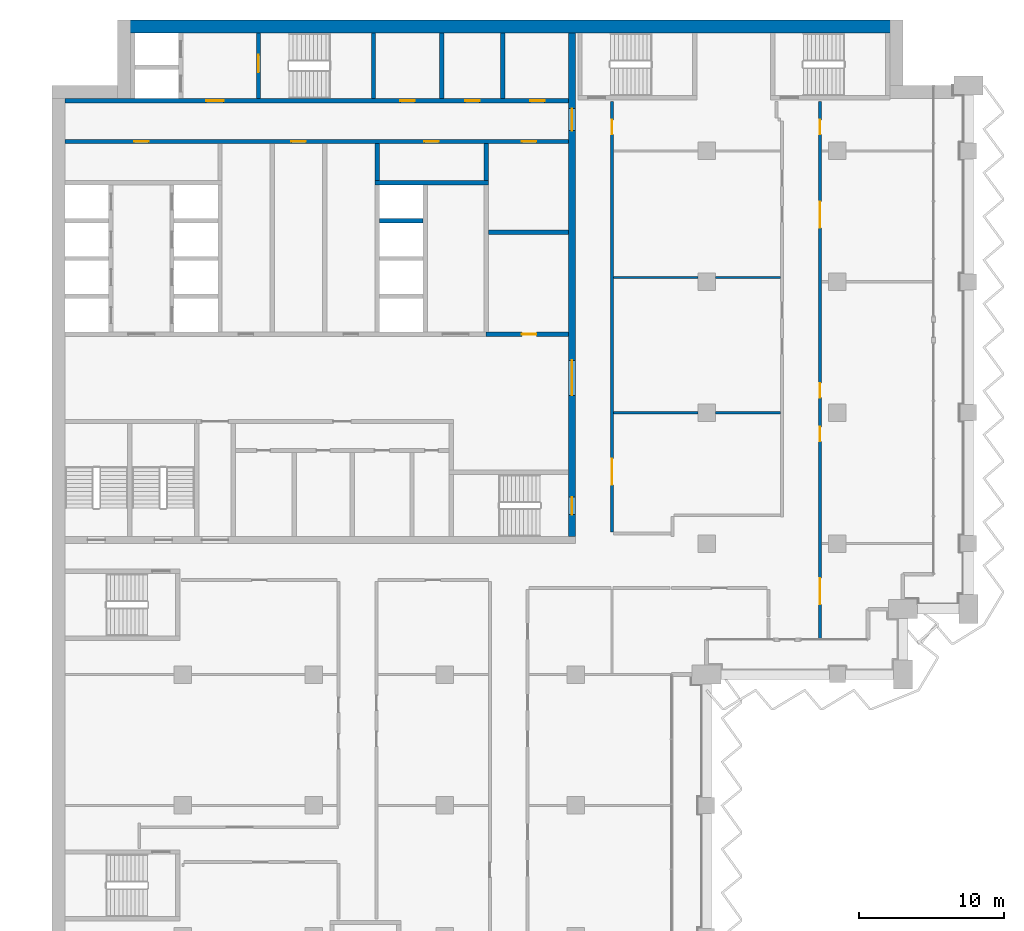
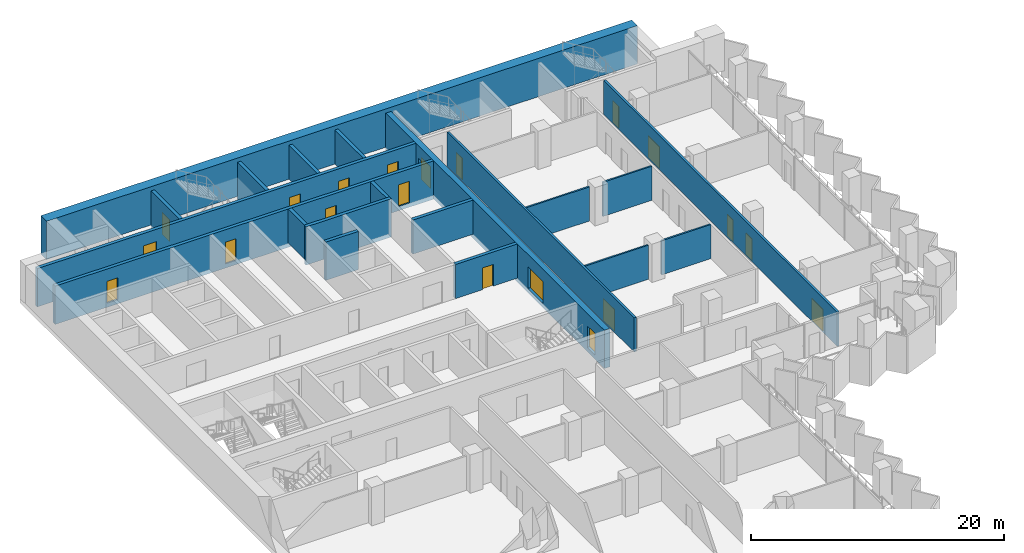
# One storey, part 14 of 23: 20 doors, 20 walls, 20 openings.
"""IFC4 building model written with IfcOpenShell, lengths in metres."""

from ifc_helpers import new_model, si_unit, direction, frame, frame_2d, origin, place, context, subcontext, project, spatial, rectangle, extrude, material, layer, layer_set, type_object, element, fill, save


model = new_model("IFC4")

# Units and contexts
model_context = context("Model", 3, precision=1e-05, world=origin(), true_north=direction((0.0, 1.0)))
body_context = subcontext(model_context, "Body", "Model", "MODEL_VIEW")
ifc_project = project(units=[si_unit("LENGTHUNIT", "METRE"), si_unit("AREAUNIT", "SQUARE_METRE"), si_unit("VOLUMEUNIT", "CUBIC_METRE"), si_unit("PLANEANGLEUNIT", "RADIAN"), si_unit("MASSUNIT", "GRAM", prefix="KILO")], contexts=[model_context])

# Site, building, storey
site_placement = place(None, origin())
site = spatial("IfcSite", under=ifc_project, at=site_placement, CompositionType="ELEMENT")
building_placement = place(site_placement, origin())
building = spatial("IfcBuilding", under=site, at=building_placement, Name="Hunhe Ridgeline Campus", CompositionType="ELEMENT")
storey_placement = place(building_placement, frame((0.0, 0.0, 152.300048828125)))
storey = spatial("IfcBuildingStorey", under=building, at=storey_placement, Name="L38", CompositionType="ELEMENT", Elevation=152.300048828125)

# Wall, opening, door
ifc_material_1 = material(Name="Masonry concrete blockwork", Category="masonry")
ifc_layer_1 = layer(ifc_material_1, 0.300048828125)
ifc_layer_set_1 = layer_set([ifc_layer_1], Name="Core room partition 300 concrete block")
wall_type_1 = type_object("IfcWallType", Name="Core room partition 300 concrete block", PredefinedType="PARTITIONING", material=ifc_layer_set_1)
wall_1_placement = place(storey_placement, frame((29.85009765625, 77.39990234375, 0.0), z_axis=(0.0, 0.0, 1.0), x_axis=(1.0, 0.0, 0.0)))
wall_1 = element("IfcWall", 1, at=wall_1_placement, inside=storey, type_object=wall_type_1, Name="L38 core partition 13", PredefinedType="PARTITIONING", context=body_context, shape_type="SweptSolid", body=[
    extrude(rectangle(XDim=5.64990234375, YDim=0.300048828125, at=frame_2d((2.824951171875, 0.0))), origin(), (0.0, 0.0, 1.0), 3.300048828125),
])
opening_1_placement = place(wall_1_placement, frame((2.449951171875, 0.0, 0.0)))
opening_1 = element("IfcOpeningElement", 2, at=opening_1_placement, cuts=wall_1, Name="Opening CD32", PredefinedType="OPENING", context=body_context, shape_type="SweptSolid", body=[
    extrude(rectangle(XDim=1.0, YDim=2.10009765625, at=frame_2d((0.5, 1.050048828125))), frame((0.0, 0.14990234375, 0.0), z_axis=(0.0, -1.0, 0.0), x_axis=(1.0, 0.0, 0.0)), (0.0, 0.0, 1.0), 0.300048828125),
])
ifc_material_2 = material(Name="Solid core timber door leaf", Category="wood")
door_type_1 = type_object("IfcDoorType", Name="Timber door 1000x2100", OperationType="SINGLE_SWING_LEFT", PredefinedType="DOOR", material=ifc_material_2)
door_1_placement = place(opening_1_placement, origin())
door_1 = element("IfcDoor", 3, at=door_1_placement, inside=storey, type_object=door_type_1, Name="L38 door ES0", OperationType="SINGLE_SWING_RIGHT", OverallHeight=2.10009765625, OverallWidth=1.0, PredefinedType="DOOR", context=body_context, shape_type="SweptSolid", body=[
    extrude(rectangle(XDim=1.0, YDim=2.10009765625, at=frame_2d((0.5, 1.050048828125))), frame((0.0, 0.02490234375, 0.0), z_axis=(0.0, -1.0, 0.0), x_axis=(1.0, 0.0, 0.0)), (0.0, 0.0, 1.0), 0.050048828125),
])
fill(opening_1, door_1)

# Walls
wall_2_placement = place(storey_placement, frame((30.0, 84.39990234375, 0.0), z_axis=(0.0, 0.0, 1.0), x_axis=(1.0, 0.0, 0.0)))
element("IfcWall", 4, at=wall_2_placement, inside=storey, type_object=wall_type_1, Name="L38 core partition 20", PredefinedType="PARTITIONING", context=body_context, shape_type="SweptSolid", body=[
    extrude(rectangle(XDim=5.5, YDim=0.300048828125, at=frame_2d((2.75, 0.0))), origin(), (0.0, 0.0, 1.0), 3.300048828125),
])
wall_3_placement = place(storey_placement, frame((22.35009765625, 87.949951171875, 0.0), z_axis=(0.0, 0.0, 1.0), x_axis=(0.0, 1.0, 0.0)))
element("IfcWall", 5, at=wall_3_placement, inside=storey, type_object=wall_type_1, Name="L38 core partition 50", PredefinedType="PARTITIONING", context=body_context, shape_type="SweptSolid", body=[
    extrude(rectangle(XDim=2.550048828125, YDim=0.300048828125, at=frame_2d((1.27490234375, 0.0))), origin(), (0.0, 0.0, 1.0), 3.300048828125),
])
wall_4_placement = place(storey_placement, frame((26.800048828125, 93.60009765625, 0.0), z_axis=(0.0, 0.0, 1.0), x_axis=(0.0, 1.0, 0.0)))
element("IfcWall", 6, at=wall_4_placement, inside=storey, type_object=wall_type_1, Name="L38 core partition 54", PredefinedType="PARTITIONING", context=body_context, shape_type="SweptSolid", body=[
    extrude(rectangle(XDim=4.5, YDim=0.300048828125, at=frame_2d((2.25, 0.0))), origin(), (0.0, 0.0, 1.0), 3.300048828125),
])
wall_5_placement = place(storey_placement, frame((29.85009765625, 87.949951171875, 0.0), z_axis=(0.0, 0.0, 1.0), x_axis=(0.0, 1.0, 0.0)))
element("IfcWall", 7, at=wall_5_placement, inside=storey, type_object=wall_type_1, Name="L38 core partition 58", PredefinedType="PARTITIONING", context=body_context, shape_type="SweptSolid", body=[
    extrude(rectangle(XDim=2.550048828125, YDim=0.300048828125, at=frame_2d((1.27490234375, 0.0))), origin(), (0.0, 0.0, 1.0), 3.300048828125),
])
wall_6_placement = place(storey_placement, frame((31.0, 93.60009765625, 0.0), z_axis=(0.0, 0.0, 1.0), x_axis=(0.0, 1.0, 0.0)))
element("IfcWall", 8, at=wall_6_placement, inside=storey, type_object=wall_type_1, Name="L38 core partition 59", PredefinedType="PARTITIONING", context=body_context, shape_type="SweptSolid", body=[
    extrude(rectangle(XDim=4.5, YDim=0.300048828125, at=frame_2d((2.25, 0.0))), origin(), (0.0, 0.0, 1.0), 3.300048828125),
])

# Wall, openings, doors
ifc_material_3 = material(Name="Concrete C70", Category="concrete")
ifc_layer_2 = layer(ifc_material_3, 0.5)
ifc_layer_set_2 = layer_set([ifc_layer_2], Name="Core wall 500 reinforced concrete C70")
wall_type_2 = type_object("IfcWallType", Name="Core wall 500 reinforced concrete C70", PredefinedType="SOLIDWALL", material=ifc_layer_set_2)
wall_7_placement = place(storey_placement, frame((35.75, 63.5, -0.400146484375), z_axis=(0.0, 0.0, 1.0), x_axis=(0.0, 1.0, 0.0)))
wall_7 = element("IfcWall", 9, at=wall_7_placement, inside=storey, type_object=wall_type_2, Name="L38 core wall 60", PredefinedType="SOLIDWALL", context=body_context, shape_type="SweptSolid", body=[
    extrude(rectangle(XDim=34.60009765625, YDim=0.5, at=frame_2d((17.300048828125, 0.0))), origin(), (0.0, 0.0, 1.0), 3.7001953125),
])
opening_2_placement = place(wall_7_placement, frame((9.699951171875, 0.0, 0.39990234375)))
opening_2 = element("IfcOpeningElement", 10, at=opening_2_placement, cuts=wall_7, Name="Opening CD4", PredefinedType="OPENING", context=body_context, shape_type="SweptSolid", body=[
    extrude(rectangle(XDim=2.39990234375, YDim=2.10009765625, at=frame_2d((1.199951171875, 1.050048828125))), frame((0.0, 0.25, 0.0), z_axis=(0.0, -1.0, 0.0), x_axis=(1.0, 0.0, 0.0)), (0.0, 0.0, 1.0), 0.5),
])
opening_3_placement = place(wall_7_placement, frame((27.89990234375, 0.0, 0.39990234375)))
opening_3 = element("IfcOpeningElement", 11, at=opening_3_placement, cuts=wall_7, Name="Opening CD5", PredefinedType="OPENING", context=body_context, shape_type="SweptSolid", body=[
    extrude(rectangle(XDim=1.5, YDim=2.10009765625, at=frame_2d((0.75, 1.050048828125))), frame((0.0, 0.25, 0.0), z_axis=(0.0, -1.0, 0.0), x_axis=(1.0, 0.0, 0.0)), (0.0, 0.0, 1.0), 0.5),
])
opening_4_placement = place(wall_7_placement, frame((1.5, 0.0, 0.39990234375)))
opening_4 = element("IfcOpeningElement", 12, at=opening_4_placement, cuts=wall_7, Name="Opening CD15", PredefinedType="OPENING", context=body_context, shape_type="SweptSolid", body=[
    extrude(rectangle(XDim=1.199951171875, YDim=2.10009765625, at=frame_2d((0.60009765625, 1.050048828125))), frame((0.0, 0.25, 0.0), z_axis=(0.0, -1.0, 0.0), x_axis=(1.0, 0.0, 0.0)), (0.0, 0.0, 1.0), 0.5),
])
ifc_material_4 = material(Name="Anodised aluminium and glass", Category="aluminium")
door_type_2 = type_object("IfcDoorType", Name="Glazed double door 2400x2100", OperationType="DOUBLE_DOOR_SINGLE_SWING", PredefinedType="DOOR", material=ifc_material_4)
door_2_placement = place(opening_2_placement, frame((2.39990234375, 0.0, 0.0), z_axis=(0.0, 0.0, 1.0), x_axis=(-1.0, 0.0, 0.0)))
door_2 = element("IfcDoor", 13, at=door_2_placement, inside=storey, type_object=door_type_2, Name="L38 door HALL-FLOOR", OperationType="DOUBLE_DOOR_SINGLE_SWING", OverallHeight=2.10009765625, OverallWidth=2.39990234375, PredefinedType="DOOR", context=body_context, shape_type="SweptSolid", body=[
    extrude(rectangle(XDim=2.39990234375, YDim=2.10009765625, at=frame_2d((1.199951171875, 1.050048828125))), frame((0.0, 0.02490234375, 0.0), z_axis=(0.0, -1.0, 0.0), x_axis=(1.0, 0.0, 0.0)), (0.0, 0.0, 1.0), 0.050048828125),
])
fill(opening_2, door_2)
ifc_material_5 = material(Name="Hollow metal fire door leaf")
door_type_3 = type_object("IfcDoorType", Name="Stair door 1200x2100 FD60", OperationType="SINGLE_SWING_LEFT", PredefinedType="DOOR", material=ifc_material_5)
door_3_placement = place(opening_4_placement, frame((1.199951171875, 0.0, 0.0), z_axis=(0.0, 0.0, 1.0), x_axis=(-1.0, 0.0, 0.0)))
door_3 = element("IfcDoor", 14, at=door_3_placement, inside=storey, type_object=door_type_3, Name="L38 door S2-FLOOR", OperationType="SINGLE_SWING_RIGHT", OverallHeight=2.10009765625, OverallWidth=1.199951171875, PredefinedType="DOOR", context=body_context, shape_type="SweptSolid", body=[
    extrude(rectangle(XDim=1.199951171875, YDim=2.10009765625, at=frame_2d((0.60009765625, 1.050048828125))), frame((0.0, 0.02490234375, 0.0), z_axis=(0.0, -1.0, 0.0), x_axis=(1.0, 0.0, 0.0)), (0.0, 0.0, 1.0), 0.050048828125),
])
fill(opening_4, door_3)
door_type_4 = type_object("IfcDoorType", Name="Timber door 1500x2100", OperationType="SINGLE_SWING_LEFT", PredefinedType="DOOR", material=ifc_material_2)
door_4_placement = place(opening_3_placement, frame((1.5, 0.0, 0.0), z_axis=(0.0, 0.0, 1.0), x_axis=(-1.0, 0.0, 0.0)))
door_4 = element("IfcDoor", 15, at=door_4_placement, inside=storey, type_object=door_type_4, Name="L38 door C1-FLOOR", OperationType="SINGLE_SWING_RIGHT", OverallHeight=2.10009765625, OverallWidth=1.5, PredefinedType="DOOR", context=body_context, shape_type="SweptSolid", body=[
    extrude(rectangle(XDim=1.5, YDim=2.10009765625, at=frame_2d((0.75, 1.050048828125))), frame((0.0, 0.02490234375, 0.0), z_axis=(0.0, -1.0, 0.0), x_axis=(1.0, 0.0, 0.0)), (0.0, 0.0, 1.0), 0.050048828125),
])
fill(opening_3, door_4)

ifc_material_6 = material(Name="Gypsum board partition")
ifc_layer_3 = layer(ifc_material_6, 0.199951171875)
ifc_layer_set_3 = layer_set([ifc_layer_3], Name="Corridor partition 200 gypsum board on steel studs")
wall_type_3 = type_object("IfcWallType", Name="Corridor partition 200 gypsum board on steel studs", PredefinedType="PARTITIONING", material=ifc_layer_set_3)
wall_8_placement = place(storey_placement, frame((38.5, 93.39599609375, 0.0), z_axis=(0.0, 0.0, 1.0), x_axis=(0.0, -1.0, 0.0)))
wall_8 = element("IfcWall", 16, at=wall_8_placement, inside=storey, type_object=wall_type_3, Name="F-L38-wall-070", PredefinedType="PARTITIONING", context=body_context, shape_type="SweptSolid", body=[
    extrude(rectangle(XDim=29.595947265625, YDim=0.199951171875, at=frame_2d((14.7978515625, 0.0))), origin(), (0.0, 0.0, 1.0), 3.300048828125),
])
opening_5_placement = place(wall_8_placement, frame((24.5576171875, 0.0, 0.0)))
opening_5 = element("IfcOpeningElement", 17, at=opening_5_placement, cuts=wall_8, Name="Opening RD2-028", PredefinedType="OPENING", context=body_context, shape_type="SweptSolid", body=[
    extrude(rectangle(XDim=1.800048828125, YDim=2.10009765625, at=frame_2d((0.89990234375, 1.050048828125))), frame((0.0, 0.10009765625, 0.0), z_axis=(0.0, -1.0, 0.0), x_axis=(1.0, 0.0, 0.0)), (0.0, 0.0, 1.0), 0.199951171875),
])
opening_6_placement = place(wall_8_placement, frame((1.255615234375, 0.0, 0.0)))
opening_6 = element("IfcOpeningElement", 18, at=opening_6_placement, cuts=wall_8, Name="Opening RD1-036", PredefinedType="OPENING", context=body_context, shape_type="SweptSolid", body=[
    extrude(rectangle(XDim=1.0, YDim=2.10009765625, at=frame_2d((0.5, 1.050048828125))), frame((0.0, 0.10009765625, 0.0), z_axis=(0.0, -1.0, 0.0), x_axis=(1.0, 0.0, 0.0)), (0.0, 0.0, 1.0), 0.199951171875),
])
ifc_material_7 = material(Name="Timber door leaf", Category="wood")
door_type_5 = type_object("IfcDoorType", Name="Double fire door 1800x2100 timber FD60", OperationType="DOUBLE_DOOR_SINGLE_SWING", PredefinedType="DOOR", material=ifc_material_7)
door_5_placement = place(opening_5_placement, origin())
door_5 = element("IfcDoor", 19, at=door_5_placement, inside=storey, type_object=door_type_5, Name="F-L38-door-028", OperationType="DOUBLE_DOOR_SINGLE_SWING", OverallHeight=2.10009765625, OverallWidth=1.800048828125, PredefinedType="DOOR", context=body_context, shape_type="SweptSolid", body=[
    extrude(rectangle(XDim=1.800048828125, YDim=2.10009765625, at=frame_2d((0.89990234375, 1.050048828125))), frame((0.0, 0.02490234375, 0.0), z_axis=(0.0, -1.0, 0.0), x_axis=(1.0, 0.0, 0.0)), (0.0, 0.0, 1.0), 0.050048828125),
])
fill(opening_5, door_5)
door_type_6 = type_object("IfcDoorType", Name="Single fire door 1000x2100 timber FD60", OperationType="NOTDEFINED", PredefinedType="DOOR", material=ifc_material_7)
door_6_placement = place(opening_6_placement, origin())
door_6 = element("IfcDoor", 20, at=door_6_placement, inside=storey, type_object=door_type_6, Name="F-L38-door-036", OperationType="SINGLE_SWING_LEFT", OverallHeight=2.10009765625, OverallWidth=1.0, PredefinedType="DOOR", context=body_context, shape_type="SweptSolid", body=[
    extrude(rectangle(XDim=1.0, YDim=2.10009765625, at=frame_2d((0.5, 1.050048828125))), frame((0.0, 0.02490234375, 0.0), z_axis=(0.0, -1.0, 0.0), x_axis=(1.0, 0.0, 0.0)), (0.0, 0.0, 1.0), 0.050048828125),
])
fill(opening_6, door_6)

wall_9_placement = place(storey_placement, frame((52.800048828125, 93.39599609375, 0.0), z_axis=(0.0, 0.0, 1.0), x_axis=(0.0, -1.0, 0.0)))
wall_9 = element("IfcWall", 21, at=wall_9_placement, inside=storey, type_object=wall_type_3, Name="F-L38-wall-076", PredefinedType="PARTITIONING", context=body_context, shape_type="SweptSolid", body=[
    extrude(rectangle(XDim=36.94091796875, YDim=0.199951171875, at=frame_2d((18.470458984375, 0.0))), origin(), (0.0, 0.0, 1.0), 3.300048828125),
])
opening_7_placement = place(wall_9_placement, frame((32.774169921875, 0.0, 0.0)))
opening_7 = element("IfcOpeningElement", 22, at=opening_7_placement, cuts=wall_9, Name="Opening RD2-024", PredefinedType="OPENING", context=body_context, shape_type="SweptSolid", body=[
    extrude(rectangle(XDim=1.800048828125, YDim=2.10009765625, at=frame_2d((0.89990234375, 1.050048828125))), frame((0.0, 0.10009765625, 0.0), z_axis=(0.0, -1.0, 0.0), x_axis=(1.0, 0.0, 0.0)), (0.0, 0.0, 1.0), 0.199951171875),
])
opening_8_placement = place(wall_9_placement, frame((22.3603515625, 0.0, 0.0)))
opening_8 = element("IfcOpeningElement", 23, at=opening_8_placement, cuts=wall_9, Name="Opening RD1-029", PredefinedType="OPENING", context=body_context, shape_type="SweptSolid", body=[
    extrude(rectangle(XDim=1.0, YDim=2.10009765625, at=frame_2d((0.5, 1.050048828125))), frame((0.0, 0.10009765625, 0.0), z_axis=(0.0, -1.0, 0.0), x_axis=(1.0, 0.0, 0.0)), (0.0, 0.0, 1.0), 0.199951171875),
])
opening_9_placement = place(wall_9_placement, frame((19.3603515625, 0.0, 0.0)))
opening_9 = element("IfcOpeningElement", 24, at=opening_9_placement, cuts=wall_9, Name="Opening RD1-030", PredefinedType="OPENING", context=body_context, shape_type="SweptSolid", body=[
    extrude(rectangle(XDim=1.0, YDim=2.10009765625, at=frame_2d((0.5, 1.050048828125))), frame((0.0, 0.10009765625, 0.0), z_axis=(0.0, -1.0, 0.0), x_axis=(1.0, 0.0, 0.0)), (0.0, 0.0, 1.0), 0.199951171875),
])
opening_10_placement = place(wall_9_placement, frame((6.890380859375, 0.0, 0.0)))
opening_10 = element("IfcOpeningElement", 25, at=opening_10_placement, cuts=wall_9, Name="Opening RD2-034", PredefinedType="OPENING", context=body_context, shape_type="SweptSolid", body=[
    extrude(rectangle(XDim=1.800048828125, YDim=2.10009765625, at=frame_2d((0.89990234375, 1.050048828125))), frame((0.0, 0.10009765625, 0.0), z_axis=(0.0, -1.0, 0.0), x_axis=(1.0, 0.0, 0.0)), (0.0, 0.0, 1.0), 0.199951171875),
])
opening_11_placement = place(wall_9_placement, frame((1.259033203125, 0.0, 0.0)))
opening_11 = element("IfcOpeningElement", 26, at=opening_11_placement, cuts=wall_9, Name="Opening RD1-037", PredefinedType="OPENING", context=body_context, shape_type="SweptSolid", body=[
    extrude(rectangle(XDim=1.0, YDim=2.10009765625, at=frame_2d((0.5, 1.050048828125))), frame((0.0, 0.10009765625, 0.0), z_axis=(0.0, -1.0, 0.0), x_axis=(1.0, 0.0, 0.0)), (0.0, 0.0, 1.0), 0.199951171875),
])
door_7_placement = place(opening_7_placement, origin())
door_7 = element("IfcDoor", 27, at=door_7_placement, inside=storey, type_object=door_type_5, Name="F-L38-door-024", OperationType="DOUBLE_DOOR_SINGLE_SWING", OverallHeight=2.10009765625, OverallWidth=1.800048828125, PredefinedType="DOOR", context=body_context, shape_type="SweptSolid", body=[
    extrude(rectangle(XDim=1.800048828125, YDim=2.10009765625, at=frame_2d((0.89990234375, 1.050048828125))), frame((0.0, 0.02490234375, 0.0), z_axis=(0.0, -1.0, 0.0), x_axis=(1.0, 0.0, 0.0)), (0.0, 0.0, 1.0), 0.050048828125),
])
fill(opening_7, door_7)
door_8_placement = place(opening_10_placement, origin())
door_8 = element("IfcDoor", 28, at=door_8_placement, inside=storey, type_object=door_type_5, Name="F-L38-door-034", OperationType="DOUBLE_DOOR_SINGLE_SWING", OverallHeight=2.10009765625, OverallWidth=1.800048828125, PredefinedType="DOOR", context=body_context, shape_type="SweptSolid", body=[
    extrude(rectangle(XDim=1.800048828125, YDim=2.10009765625, at=frame_2d((0.89990234375, 1.050048828125))), frame((0.0, 0.02490234375, 0.0), z_axis=(0.0, -1.0, 0.0), x_axis=(1.0, 0.0, 0.0)), (0.0, 0.0, 1.0), 0.050048828125),
])
fill(opening_10, door_8)
door_9_placement = place(opening_8_placement, frame((1.0, 0.0, 0.0), z_axis=(0.0, 0.0, 1.0), x_axis=(-1.0, 0.0, 0.0)))
door_9 = element("IfcDoor", 29, at=door_9_placement, inside=storey, type_object=door_type_6, Name="F-L38-door-029", OperationType="SINGLE_SWING_LEFT", OverallHeight=2.10009765625, OverallWidth=1.0, PredefinedType="DOOR", context=body_context, shape_type="SweptSolid", body=[
    extrude(rectangle(XDim=1.0, YDim=2.10009765625, at=frame_2d((0.5, 1.050048828125))), frame((0.0, 0.02490234375, 0.0), z_axis=(0.0, -1.0, 0.0), x_axis=(1.0, 0.0, 0.0)), (0.0, 0.0, 1.0), 0.050048828125),
])
fill(opening_8, door_9)
door_10_placement = place(opening_9_placement, frame((1.0, 0.0, 0.0), z_axis=(0.0, 0.0, 1.0), x_axis=(-1.0, 0.0, 0.0)))
door_10 = element("IfcDoor", 30, at=door_10_placement, inside=storey, type_object=door_type_6, Name="F-L38-door-030", OperationType="SINGLE_SWING_RIGHT", OverallHeight=2.10009765625, OverallWidth=1.0, PredefinedType="DOOR", context=body_context, shape_type="SweptSolid", body=[
    extrude(rectangle(XDim=1.0, YDim=2.10009765625, at=frame_2d((0.5, 1.050048828125))), frame((0.0, 0.02490234375, 0.0), z_axis=(0.0, -1.0, 0.0), x_axis=(1.0, 0.0, 0.0)), (0.0, 0.0, 1.0), 0.050048828125),
])
fill(opening_9, door_10)
door_11_placement = place(opening_11_placement, origin())
door_11 = element("IfcDoor", 31, at=door_11_placement, inside=storey, type_object=door_type_6, Name="F-L38-door-037", OperationType="SINGLE_SWING_RIGHT", OverallHeight=2.10009765625, OverallWidth=1.0, PredefinedType="DOOR", context=body_context, shape_type="SweptSolid", body=[
    extrude(rectangle(XDim=1.0, YDim=2.10009765625, at=frame_2d((0.5, 1.050048828125))), frame((0.0, 0.02490234375, 0.0), z_axis=(0.0, -1.0, 0.0), x_axis=(1.0, 0.0, 0.0)), (0.0, 0.0, 1.0), 0.050048828125),
])
fill(opening_11, door_11)

ifc_layer_4 = layer(ifc_material_3, 0.300048828125)
ifc_layer_set_4 = layer_set([ifc_layer_4], Name="Lobby wall 300 reinforced concrete C70")
wall_type_4 = type_object("IfcWallType", Name="Lobby wall 300 reinforced concrete C70", PredefinedType="SOLIDWALL", material=ifc_layer_set_4)
wall_10_placement = place(storey_placement, frame((0.89990234375, 90.64990234375, -0.400146484375), z_axis=(0.0, 0.0, 1.0), x_axis=(1.0, 0.0, 0.0)))
wall_10 = element("IfcWall", 32, at=wall_10_placement, inside=storey, type_object=wall_type_4, Name="L38 core wall 26", PredefinedType="SOLIDWALL", context=body_context, shape_type="SweptSolid", body=[
    extrude(rectangle(XDim=34.60009765625, YDim=0.300048828125, at=frame_2d((17.300048828125, 0.0))), origin(), (0.0, 0.0, 1.0), 3.7001953125),
])
opening_12_placement = place(wall_10_placement, frame((4.75, 0.0, 0.39990234375)))
opening_12 = element("IfcOpeningElement", 33, at=opening_12_placement, cuts=wall_10, Name="Opening CD26", PredefinedType="OPENING", context=body_context, shape_type="SweptSolid", body=[
    extrude(rectangle(XDim=1.0, YDim=2.10009765625, at=frame_2d((0.5, 1.050048828125))), frame((0.0, 0.14990234375, 0.0), z_axis=(0.0, -1.0, 0.0), x_axis=(1.0, 0.0, 0.0)), (0.0, 0.0, 1.0), 0.300048828125),
])
opening_13_placement = place(wall_10_placement, frame((24.699951171875, 0.0, 0.39990234375)))
opening_13 = element("IfcOpeningElement", 34, at=opening_13_placement, cuts=wall_10, Name="Opening CD27", PredefinedType="OPENING", context=body_context, shape_type="SweptSolid", body=[
    extrude(rectangle(XDim=1.0, YDim=2.10009765625, at=frame_2d((0.5, 1.050048828125))), frame((0.0, 0.14990234375, 0.0), z_axis=(0.0, -1.0, 0.0), x_axis=(1.0, 0.0, 0.0)), (0.0, 0.0, 1.0), 0.300048828125),
])
opening_14_placement = place(wall_10_placement, frame((15.550048828125, 0.0, 0.39990234375)))
opening_14 = element("IfcOpeningElement", 35, at=opening_14_placement, cuts=wall_10, Name="Opening CD29", PredefinedType="OPENING", context=body_context, shape_type="SweptSolid", body=[
    extrude(rectangle(XDim=1.0, YDim=2.10009765625, at=frame_2d((0.5, 1.050048828125))), frame((0.0, 0.14990234375, 0.0), z_axis=(0.0, -1.0, 0.0), x_axis=(1.0, 0.0, 0.0)), (0.0, 0.0, 1.0), 0.300048828125),
])
opening_15_placement = place(wall_10_placement, frame((31.39990234375, 0.0, 0.39990234375)))
opening_15 = element("IfcOpeningElement", 36, at=opening_15_placement, cuts=wall_10, Name="Opening CD33", PredefinedType="OPENING", context=body_context, shape_type="SweptSolid", body=[
    extrude(rectangle(XDim=1.0, YDim=2.10009765625, at=frame_2d((0.5, 1.050048828125))), frame((0.0, 0.14990234375, 0.0), z_axis=(0.0, -1.0, 0.0), x_axis=(1.0, 0.0, 0.0)), (0.0, 0.0, 1.0), 0.300048828125),
])
door_12_placement = place(opening_12_placement, frame((1.0, 0.0, 0.0), z_axis=(0.0, 0.0, 1.0), x_axis=(-1.0, 0.0, 0.0)))
door_12 = element("IfcDoor", 37, at=door_12_placement, inside=storey, type_object=door_type_1, Name="L38 door NR-0", OperationType="SINGLE_SWING_LEFT", OverallHeight=2.10009765625, OverallWidth=1.0, PredefinedType="DOOR", context=body_context, shape_type="SweptSolid", body=[
    extrude(rectangle(XDim=1.0, YDim=2.10009765625, at=frame_2d((0.5, 1.050048828125))), frame((0.0, 0.02490234375, 0.0), z_axis=(0.0, -1.0, 0.0), x_axis=(1.0, 0.0, 0.0)), (0.0, 0.0, 1.0), 0.050048828125),
])
fill(opening_12, door_12)
door_13_placement = place(opening_13_placement, frame((1.0, 0.0, 0.0), z_axis=(0.0, 0.0, 1.0), x_axis=(-1.0, 0.0, 0.0)))
door_13 = element("IfcDoor", 38, at=door_13_placement, inside=storey, type_object=door_type_1, Name="L38 door NR-1", OperationType="SINGLE_SWING_RIGHT", OverallHeight=2.10009765625, OverallWidth=1.0, PredefinedType="DOOR", context=body_context, shape_type="SweptSolid", body=[
    extrude(rectangle(XDim=1.0, YDim=2.10009765625, at=frame_2d((0.5, 1.050048828125))), frame((0.0, 0.02490234375, 0.0), z_axis=(0.0, -1.0, 0.0), x_axis=(1.0, 0.0, 0.0)), (0.0, 0.0, 1.0), 0.050048828125),
])
fill(opening_13, door_13)
door_14_placement = place(opening_14_placement, frame((1.0, 0.0, 0.0), z_axis=(0.0, 0.0, 1.0), x_axis=(-1.0, 0.0, 0.0)))
door_14 = element("IfcDoor", 39, at=door_14_placement, inside=storey, type_object=door_type_1, Name="L38 door VD-HR1", OperationType="SINGLE_SWING_RIGHT", OverallHeight=2.10009765625, OverallWidth=1.0, PredefinedType="DOOR", context=body_context, shape_type="SweptSolid", body=[
    extrude(rectangle(XDim=1.0, YDim=2.10009765625, at=frame_2d((0.5, 1.050048828125))), frame((0.0, 0.02490234375, 0.0), z_axis=(0.0, -1.0, 0.0), x_axis=(1.0, 0.0, 0.0)), (0.0, 0.0, 1.0), 0.050048828125),
])
fill(opening_14, door_14)
door_15_placement = place(opening_15_placement, frame((1.0, 0.0, 0.0), z_axis=(0.0, 0.0, 1.0), x_axis=(-1.0, 0.0, 0.0)))
door_15 = element("IfcDoor", 40, at=door_15_placement, inside=storey, type_object=door_type_1, Name="L38 door ES1", OperationType="SINGLE_SWING_RIGHT", OverallHeight=2.10009765625, OverallWidth=1.0, PredefinedType="DOOR", context=body_context, shape_type="SweptSolid", body=[
    extrude(rectangle(XDim=1.0, YDim=2.10009765625, at=frame_2d((0.5, 1.050048828125))), frame((0.0, 0.02490234375, 0.0), z_axis=(0.0, -1.0, 0.0), x_axis=(1.0, 0.0, 0.0)), (0.0, 0.0, 1.0), 0.050048828125),
])
fill(opening_15, door_15)

# Walls
ifc_layer_5 = layer(ifc_material_6, 0.14990234375)
ifc_layer_set_5 = layer_set([ifc_layer_5], Name="Room partition 150 gypsum board on steel studs")
wall_type_5 = type_object("IfcWallType", Name="Room partition 150 gypsum board on steel studs", PredefinedType="PARTITIONING", material=ifc_layer_set_5)
wall_11_placement = place(storey_placement, frame((38.60009765625, 72.0, 0.0), z_axis=(0.0, 0.0, 1.0), x_axis=(1.0, 0.0, 0.0)))
element("IfcWall", 41, at=wall_11_placement, inside=storey, type_object=wall_type_5, Name="F-L38-wall-048", PredefinedType="PARTITIONING", context=body_context, shape_type="SweptSolid", body=[
    extrude(rectangle(XDim=5.7998046875, YDim=0.14990234375, at=frame_2d((2.89990234375, 0.0))), origin(), (0.0, 0.0, 1.0), 3.300048828125),
])
wall_12_placement = place(storey_placement, frame((45.60009765625, 72.0, 0.0), z_axis=(0.0, 0.0, 1.0), x_axis=(1.0, 0.0, 0.0)))
element("IfcWall", 42, at=wall_12_placement, inside=storey, type_object=wall_type_5, Name="F-L38-wall-049", PredefinedType="PARTITIONING", context=body_context, shape_type="SweptSolid", body=[
    extrude(rectangle(XDim=4.5, YDim=0.14990234375, at=frame_2d((2.25, 0.0))), origin(), (0.0, 0.0, 1.0), 3.300048828125),
])
wall_13_placement = place(storey_placement, frame((38.60009765625, 81.300048828125, 0.0), z_axis=(0.0, 0.0, 1.0), x_axis=(1.0, 0.0, 0.0)))
element("IfcWall", 43, at=wall_13_placement, inside=storey, type_object=wall_type_5, Name="F-L38-wall-052", PredefinedType="PARTITIONING", context=body_context, shape_type="SweptSolid", body=[
    extrude(rectangle(XDim=5.7998046875, YDim=0.14990234375, at=frame_2d((2.89990234375, 0.0))), origin(), (0.0, 0.0, 1.0), 3.300048828125),
])
wall_14_placement = place(storey_placement, frame((45.60009765625, 81.300048828125, 0.0), z_axis=(0.0, 0.0, 1.0), x_axis=(1.0, 0.0, 0.0)))
element("IfcWall", 44, at=wall_14_placement, inside=storey, type_object=wall_type_5, Name="F-L38-wall-053", PredefinedType="PARTITIONING", context=body_context, shape_type="SweptSolid", body=[
    extrude(rectangle(XDim=4.5, YDim=0.14990234375, at=frame_2d((2.25, 0.0))), origin(), (0.0, 0.0, 1.0), 3.300048828125),
])
ifc_layer_6 = layer(ifc_material_3, 0.300048828125)
ifc_layer_set_6 = layer_set([ifc_layer_6], Name="Shaft wall 300 reinforced concrete C70")
wall_type_6 = type_object("IfcWallType", Name="Shaft wall 300 reinforced concrete C70", PredefinedType="SOLIDWALL", material=ifc_layer_set_6)
wall_15_placement = place(storey_placement, frame((22.5, 85.199951171875, -0.400146484375), z_axis=(0.0, 0.0, 1.0), x_axis=(1.0, 0.0, 0.0)))
element("IfcWall", 45, at=wall_15_placement, inside=storey, type_object=wall_type_6, Name="L38 core wall 23", PredefinedType="SOLIDWALL", context=body_context, shape_type="SweptSolid", body=[
    extrude(rectangle(XDim=3.0, YDim=0.300048828125, at=frame_2d((1.5, 0.0))), origin(), (0.0, 0.0, 1.0), 3.7001953125),
])
wall_16_placement = place(storey_placement, frame((22.199951171875, 87.800048828125, -0.400146484375), z_axis=(0.0, 0.0, 1.0), x_axis=(1.0, 0.0, 0.0)))
element("IfcWall", 46, at=wall_16_placement, inside=storey, type_object=wall_type_6, Name="L38 core wall 25", PredefinedType="SOLIDWALL", context=body_context, shape_type="SweptSolid", body=[
    extrude(rectangle(XDim=7.800048828125, YDim=0.300048828125, at=frame_2d((3.89990234375, 0.0))), origin(), (0.0, 0.0, 1.0), 3.7001953125),
])

# Wall, openings, doors
wall_17_placement = place(storey_placement, frame((0.89990234375, 93.449951171875, -0.400146484375), z_axis=(0.0, 0.0, 1.0), x_axis=(1.0, 0.0, 0.0)))
wall_17 = element("IfcWall", 47, at=wall_17_placement, inside=storey, type_object=wall_type_6, Name="L38 core wall 27", PredefinedType="SOLIDWALL", context=body_context, shape_type="SweptSolid", body=[
    extrude(rectangle(XDim=34.60009765625, YDim=0.300048828125, at=frame_2d((17.300048828125, 0.0))), origin(), (0.0, 0.0, 1.0), 3.7001953125),
])
opening_16_placement = place(wall_17_placement, frame((9.699951171875, 0.0, 0.39990234375)))
opening_16 = element("IfcOpeningElement", 48, at=opening_16_placement, cuts=wall_17, Name="Opening CD3", PredefinedType="OPENING", context=body_context, shape_type="SweptSolid", body=[
    extrude(rectangle(XDim=1.199951171875, YDim=2.10009765625, at=frame_2d((0.60009765625, 1.050048828125))), frame((0.0, 0.14990234375, 0.0), z_axis=(0.0, -1.0, 0.0), x_axis=(1.0, 0.0, 0.0)), (0.0, 0.0, 1.0), 0.300048828125),
])
opening_17_placement = place(wall_17_placement, frame((23.050048828125, 0.0, 0.39990234375)))
opening_17 = element("IfcOpeningElement", 49, at=opening_17_placement, cuts=wall_17, Name="Opening CD34", PredefinedType="OPENING", context=body_context, shape_type="SweptSolid", body=[
    extrude(rectangle(XDim=1.0, YDim=2.10009765625, at=frame_2d((0.5, 1.050048828125))), frame((0.0, 0.14990234375, 0.0), z_axis=(0.0, -1.0, 0.0), x_axis=(1.0, 0.0, 0.0)), (0.0, 0.0, 1.0), 0.300048828125),
])
opening_18_placement = place(wall_17_placement, frame((27.5, 0.0, 0.39990234375)))
opening_18 = element("IfcOpeningElement", 50, at=opening_18_placement, cuts=wall_17, Name="Opening CD35", PredefinedType="OPENING", context=body_context, shape_type="SweptSolid", body=[
    extrude(rectangle(XDim=1.0, YDim=2.10009765625, at=frame_2d((0.5, 1.050048828125))), frame((0.0, 0.14990234375, 0.0), z_axis=(0.0, -1.0, 0.0), x_axis=(1.0, 0.0, 0.0)), (0.0, 0.0, 1.0), 0.300048828125),
])
opening_19_placement = place(wall_17_placement, frame((31.97509765625, 0.0, 0.39990234375)))
opening_19 = element("IfcOpeningElement", 51, at=opening_19_placement, cuts=wall_17, Name="Opening CD36", PredefinedType="OPENING", context=body_context, shape_type="SweptSolid", body=[
    extrude(rectangle(XDim=1.0, YDim=2.10009765625, at=frame_2d((0.5, 1.050048828125))), frame((0.0, 0.14990234375, 0.0), z_axis=(0.0, -1.0, 0.0), x_axis=(1.0, 0.0, 0.0)), (0.0, 0.0, 1.0), 0.300048828125),
])
door_type_7 = type_object("IfcDoorType", Name="Lobby door 1200x2100 FD60", OperationType="SINGLE_SWING_LEFT", PredefinedType="DOOR", material=ifc_material_5)
door_16_placement = place(opening_16_placement, frame((1.199951171875, 0.0, 0.0), z_axis=(0.0, 0.0, 1.0), x_axis=(-1.0, 0.0, 0.0)))
door_16 = element("IfcDoor", 52, at=door_16_placement, inside=storey, type_object=door_type_7, Name="L38 door FF-C1", OperationType="SINGLE_SWING_LEFT", OverallHeight=2.10009765625, OverallWidth=1.199951171875, PredefinedType="DOOR", context=body_context, shape_type="SweptSolid", body=[
    extrude(rectangle(XDim=1.199951171875, YDim=2.10009765625, at=frame_2d((0.60009765625, 1.050048828125))), frame((0.0, 0.02490234375, 0.0), z_axis=(0.0, -1.0, 0.0), x_axis=(1.0, 0.0, 0.0)), (0.0, 0.0, 1.0), 0.050048828125),
])
fill(opening_16, door_16)
door_17_placement = place(opening_17_placement, origin())
door_17 = element("IfcDoor", 53, at=door_17_placement, inside=storey, type_object=door_type_1, Name="L38 door NB0", OperationType="SINGLE_SWING_RIGHT", OverallHeight=2.10009765625, OverallWidth=1.0, PredefinedType="DOOR", context=body_context, shape_type="SweptSolid", body=[
    extrude(rectangle(XDim=1.0, YDim=2.10009765625, at=frame_2d((0.5, 1.050048828125))), frame((0.0, 0.02490234375, 0.0), z_axis=(0.0, -1.0, 0.0), x_axis=(1.0, 0.0, 0.0)), (0.0, 0.0, 1.0), 0.050048828125),
])
fill(opening_17, door_17)
door_18_placement = place(opening_18_placement, origin())
door_18 = element("IfcDoor", 54, at=door_18_placement, inside=storey, type_object=door_type_1, Name="L38 door NB1", OperationType="SINGLE_SWING_LEFT", OverallHeight=2.10009765625, OverallWidth=1.0, PredefinedType="DOOR", context=body_context, shape_type="SweptSolid", body=[
    extrude(rectangle(XDim=1.0, YDim=2.10009765625, at=frame_2d((0.5, 1.050048828125))), frame((0.0, 0.02490234375, 0.0), z_axis=(0.0, -1.0, 0.0), x_axis=(1.0, 0.0, 0.0)), (0.0, 0.0, 1.0), 0.050048828125),
])
fill(opening_18, door_18)
door_19_placement = place(opening_19_placement, origin())
door_19 = element("IfcDoor", 55, at=door_19_placement, inside=storey, type_object=door_type_1, Name="L38 door NB2", OperationType="SINGLE_SWING_RIGHT", OverallHeight=2.10009765625, OverallWidth=1.0, PredefinedType="DOOR", context=body_context, shape_type="SweptSolid", body=[
    extrude(rectangle(XDim=1.0, YDim=2.10009765625, at=frame_2d((0.5, 1.050048828125))), frame((0.0, 0.02490234375, 0.0), z_axis=(0.0, -1.0, 0.0), x_axis=(1.0, 0.0, 0.0)), (0.0, 0.0, 1.0), 0.050048828125),
])
fill(opening_19, door_19)

# Wall
ifc_layer_7 = layer(ifc_material_3, 0.89990234375)
ifc_layer_set_7 = layer_set([ifc_layer_7], Name="Spine wall 900 Concrete C70")
wall_type_7 = type_object("IfcWallType", Name="Spine wall 900 Concrete C70", PredefinedType="SHEAR", material=ifc_layer_set_7)
wall_18_placement = place(storey_placement, frame((58.5, 98.550048828125, 0.0), z_axis=(0.0, 0.0, 1.0), x_axis=(-1.0, 0.0, 0.0)))
element("IfcWall", 56, at=wall_18_placement, inside=storey, type_object=wall_type_7, Name="Spine wall SW2-4 L38", PredefinedType="SHEAR", context=body_context, shape_type="SweptSolid", body=[
    extrude(rectangle(XDim=54.0, YDim=0.89990234375, at=frame_2d((27.0, 0.0))), origin(), (0.0, 0.0, 1.0), 3.699951171875),
])

# Wall, opening, door
ifc_layer_8 = layer(ifc_material_3, 0.300048828125)
ifc_layer_set_8 = layer_set([ifc_layer_8], Name="Stair wall 300 reinforced concrete C70")
wall_type_8 = type_object("IfcWallType", Name="Stair wall 300 reinforced concrete C70", PredefinedType="SOLIDWALL", material=ifc_layer_set_8)
wall_19_placement = place(storey_placement, frame((14.199951171875, 93.60009765625, -0.400146484375), z_axis=(0.0, 0.0, 1.0), x_axis=(0.0, 1.0, 0.0)))
wall_19 = element("IfcWall", 57, at=wall_19_placement, inside=storey, type_object=wall_type_8, Name="L38 core wall 42", PredefinedType="SOLIDWALL", context=body_context, shape_type="SweptSolid", body=[
    extrude(rectangle(XDim=4.5, YDim=0.300048828125, at=frame_2d((2.25, 0.0))), origin(), (0.0, 0.0, 1.0), 3.7001953125),
])
opening_20_placement = place(wall_19_placement, frame((1.800048828125, 0.0, 0.39990234375)))
opening_20 = element("IfcOpeningElement", 58, at=opening_20_placement, cuts=wall_19, Name="Opening CD16", PredefinedType="OPENING", context=body_context, shape_type="SweptSolid", body=[
    extrude(rectangle(XDim=1.199951171875, YDim=2.10009765625, at=frame_2d((0.60009765625, 1.050048828125))), frame((0.0, 0.14990234375, 0.0), z_axis=(0.0, -1.0, 0.0), x_axis=(1.0, 0.0, 0.0)), (0.0, 0.0, 1.0), 0.300048828125),
])
door_20_placement = place(opening_20_placement, origin())
door_20 = element("IfcDoor", 59, at=door_20_placement, inside=storey, type_object=door_type_3, Name="L38 door S1-FF", OperationType="SINGLE_SWING_LEFT", OverallHeight=2.10009765625, OverallWidth=1.199951171875, PredefinedType="DOOR", context=body_context, shape_type="SweptSolid", body=[
    extrude(rectangle(XDim=1.199951171875, YDim=2.10009765625, at=frame_2d((0.60009765625, 1.050048828125))), frame((0.0, 0.02490234375, 0.0), z_axis=(0.0, -1.0, 0.0), x_axis=(1.0, 0.0, 0.0)), (0.0, 0.0, 1.0), 0.050048828125),
])
fill(opening_20, door_20)

# Wall
wall_20_placement = place(storey_placement, frame((22.10009765625, 93.60009765625, -0.400146484375), z_axis=(0.0, 0.0, 1.0), x_axis=(0.0, 1.0, 0.0)))
element("IfcWall", 60, at=wall_20_placement, inside=storey, type_object=wall_type_8, Name="L38 core wall 48", PredefinedType="SOLIDWALL", context=body_context, shape_type="SweptSolid", body=[
    extrude(rectangle(XDim=4.5, YDim=0.300048828125, at=frame_2d((2.25, 0.0))), origin(), (0.0, 0.0, 1.0), 3.7001953125),
])

save(model, "model.ifc")
